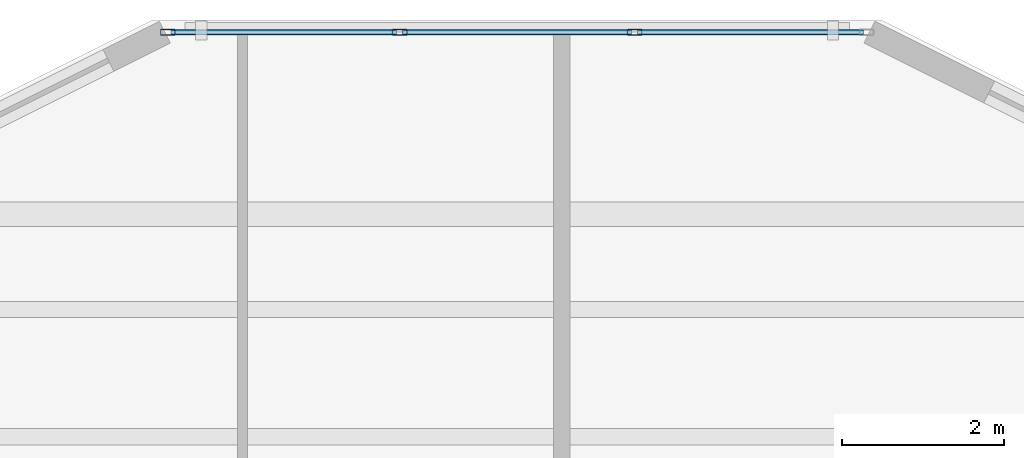
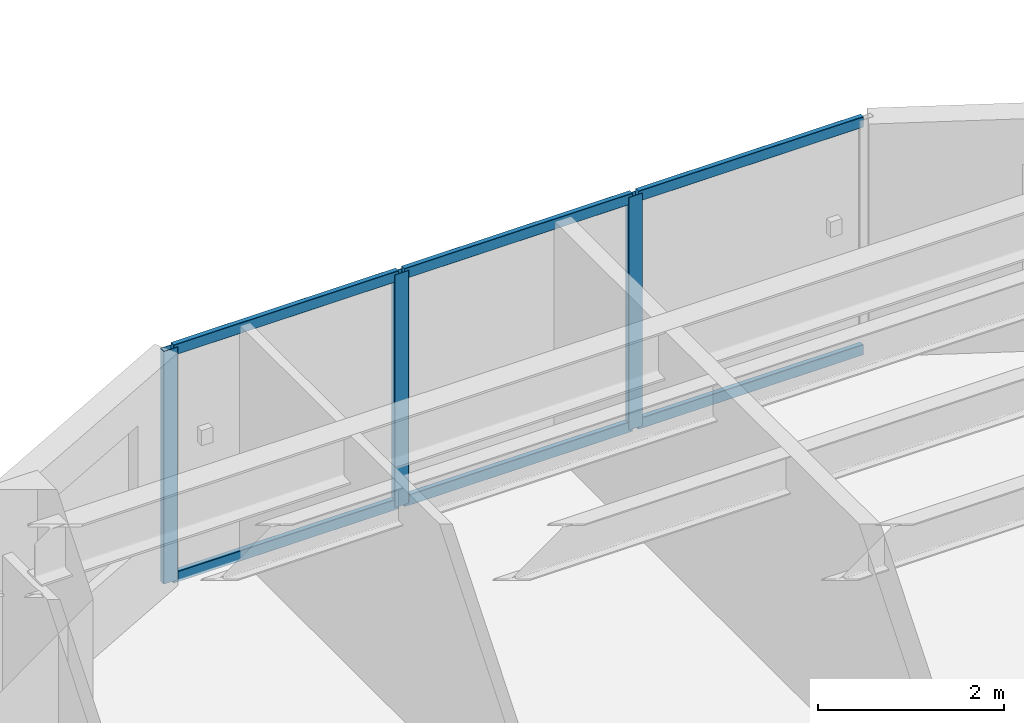
# One storey, part 6 of 20: 9 members, 1 element without a shape of its own.
"""IFC4 building model written with IfcOpenShell, lengths in metres."""

from ifc_helpers import new_model, si_unit, direction, frame, origin, origin_2d, place, context, subcontext, project, spatial, hollow_rectangle, extrude, material, layer, layer_set, material_profile, profile_set, type_object, element, aggregate, save


model = new_model("IFC4")

# Units and contexts
model_context = context("Model", 3, precision=1e-05, world=origin(), true_north=direction((0.0, 1.0)))
body_context = subcontext(model_context, "Body", "Model", "MODEL_VIEW")
ifc_project = project(units=[si_unit("LENGTHUNIT", "METRE"), si_unit("AREAUNIT", "SQUARE_METRE"), si_unit("VOLUMEUNIT", "CUBIC_METRE"), si_unit("PLANEANGLEUNIT", "RADIAN"), si_unit("MASSUNIT", "GRAM", prefix="KILO")], contexts=[model_context])

# Site, building, storey
site_placement = place(None, origin())
site = spatial("IfcSite", under=ifc_project, at=site_placement, CompositionType="ELEMENT")
building_placement = place(site_placement, origin())
building = spatial("IfcBuilding", under=site, at=building_placement, Name="Tarnavaz Court Tower", CompositionType="ELEMENT")
storey_placement = place(building_placement, frame((0.0, 0.0, 60.85009765625)))
storey = spatial("IfcBuildingStorey", under=building, at=storey_placement, Name="L16", CompositionType="ELEMENT", Elevation=60.85009765625)

# Curtain wall, members
ifc_material_1 = material(Name="Anodised Aluminium 6063-T6 and Solar Low-E Glazing", Category="aluminium")
ifc_layer = layer(ifc_material_1, 0.179931640625)
ifc_layer_set = layer_set([ifc_layer], Name="Anodised Aluminium 6063-T6 and Solar Low-E Glazing")
curtain_wall_type = type_object("IfcCurtainWallType", Name="CW-SYS-02", PredefinedType="NOTDEFINED", material=ifc_layer_set)
curtain_wall_placement = place(storey_placement, origin())
curtain_wall = element("IfcCurtainWall", 1, at=curtain_wall_placement, inside=storey, type_object=curtain_wall_type, Name="L16 Iwan Prow Curtain Wall 7", PredefinedType="NOTDEFINED")
ifc_material_2 = material(Name="Anodised Aluminium 6063-T6", Category="aluminium")
ifc_material_profile_1 = material_profile(ifc_material_2, hollow_rectangle(XDim=0.074951171875, YDim=0.179931640625, WallThickness=0.0048828125, InnerFilletRadius=0.0048828125, OuterFilletRadius=0.010009765625, at=origin_2d()), Name="ALU RHS 180X75X5")
ifc_profile_set_1 = profile_set([ifc_material_profile_1], Name="Anodised Aluminium 6063-T6")
member_type_1 = type_object("IfcMemberType", Name="CW-MUL-180", PredefinedType="MULLION", material=ifc_profile_set_1)
member_1_placement = place(storey_placement, frame((-4.3125, 25.050048828125, 0.0), z_axis=(0.0, 0.0, 1.0), x_axis=(0.0, 1.0, 0.0)))
member_1 = element("IfcMember", 2, at=member_1_placement, type_object=member_type_1, Name="CW mullion 1", PredefinedType="MULLION", context=body_context, shape_type="SweptSolid", body=[
    extrude(hollow_rectangle(XDim=0.074951171875, YDim=0.179931640625, WallThickness=0.0048828125, InnerFilletRadius=0.0048828125, OuterFilletRadius=0.010009765625, at=origin_2d()), origin(), (0.0, 0.0, 1.0), 3.0498046875),
])
member_2_placement = place(storey_placement, frame((-1.449951171875, 25.050048828125, 0.0), z_axis=(0.0, 0.0, 1.0), x_axis=(0.0, 1.0, 0.0)))
member_2 = element("IfcMember", 3, at=member_2_placement, type_object=member_type_1, Name="CW mullion 2", PredefinedType="MULLION", context=body_context, shape_type="SweptSolid", body=[
    extrude(hollow_rectangle(XDim=0.074951171875, YDim=0.179931640625, WallThickness=0.0048828125, InnerFilletRadius=0.0048828125, OuterFilletRadius=0.010009765625, at=origin_2d()), origin(), (0.0, 0.0, 1.0), 3.0498046875),
])
member_3_placement = place(storey_placement, frame((1.449951171875, 25.050048828125, 0.0), z_axis=(0.0, 0.0, 1.0), x_axis=(0.0, 1.0, 0.0)))
member_3 = element("IfcMember", 4, at=member_3_placement, type_object=member_type_1, Name="CW mullion 3", PredefinedType="MULLION", context=body_context, shape_type="SweptSolid", body=[
    extrude(hollow_rectangle(XDim=0.074951171875, YDim=0.179931640625, WallThickness=0.0048828125, InnerFilletRadius=0.0048828125, OuterFilletRadius=0.010009765625, at=origin_2d()), origin(), (0.0, 0.0, 1.0), 3.0498046875),
])
ifc_material_profile_2 = material_profile(ifc_material_2, hollow_rectangle(XDim=0.06494140625, YDim=0.139892578125, WallThickness=0.00390625, InnerFilletRadius=0.00390625, OuterFilletRadius=0.008056640625, at=origin_2d()), Name="ALU RHS 140X65X4")
ifc_profile_set_2 = profile_set([ifc_material_profile_2], Name="Anodised Aluminium 6063-T6")
member_type_2 = type_object("IfcMemberType", Name="CW-TRN-140", PredefinedType="USERDEFINED", material=ifc_profile_set_2)
member_4_placement = place(storey_placement, frame((-4.27490234375, 25.050048828125, 0.032470703125), z_axis=(1.0, 0.0, 0.0), x_axis=(0.0, 1.0, 0.0)))
member_4 = element("IfcMember", 5, at=member_4_placement, type_object=member_type_2, Name="CW transom 1.1", ObjectType="TRANSOM", PredefinedType="USERDEFINED", context=body_context, shape_type="SweptSolid", body=[
    extrude(hollow_rectangle(XDim=0.06494140625, YDim=0.139892578125, WallThickness=0.00390625, InnerFilletRadius=0.00390625, OuterFilletRadius=0.008056640625, at=origin_2d()), origin(), (0.0, 0.0, 1.0), 2.787353515625),
])
member_5_placement = place(storey_placement, frame((-4.27490234375, 25.050048828125, 3.017333984375), z_axis=(1.0, 0.0, 0.0), x_axis=(0.0, 1.0, 0.0)))
member_5 = element("IfcMember", 6, at=member_5_placement, type_object=member_type_2, Name="CW transom 1.2", ObjectType="TRANSOM", PredefinedType="USERDEFINED", context=body_context, shape_type="SweptSolid", body=[
    extrude(hollow_rectangle(XDim=0.06494140625, YDim=0.139892578125, WallThickness=0.00390625, InnerFilletRadius=0.00390625, OuterFilletRadius=0.008056640625, at=origin_2d()), origin(), (0.0, 0.0, 1.0), 2.787353515625),
])
member_6_placement = place(storey_placement, frame((-1.41259765625, 25.050048828125, 0.032470703125), z_axis=(1.0, 0.0, 0.0), x_axis=(0.0, 1.0, 0.0)))
member_6 = element("IfcMember", 7, at=member_6_placement, type_object=member_type_2, Name="CW transom 2.1", ObjectType="TRANSOM", PredefinedType="USERDEFINED", context=body_context, shape_type="SweptSolid", body=[
    extrude(hollow_rectangle(XDim=0.06494140625, YDim=0.139892578125, WallThickness=0.00390625, InnerFilletRadius=0.00390625, OuterFilletRadius=0.008056640625, at=origin_2d()), origin(), (0.0, 0.0, 1.0), 2.8251953125),
])
member_7_placement = place(storey_placement, frame((-1.41259765625, 25.050048828125, 3.017333984375), z_axis=(1.0, 0.0, 0.0), x_axis=(0.0, 1.0, 0.0)))
member_7 = element("IfcMember", 8, at=member_7_placement, type_object=member_type_2, Name="CW transom 2.2", ObjectType="TRANSOM", PredefinedType="USERDEFINED", context=body_context, shape_type="SweptSolid", body=[
    extrude(hollow_rectangle(XDim=0.06494140625, YDim=0.139892578125, WallThickness=0.00390625, InnerFilletRadius=0.00390625, OuterFilletRadius=0.008056640625, at=origin_2d()), origin(), (0.0, 0.0, 1.0), 2.8251953125),
])
member_8_placement = place(storey_placement, frame((1.487548828125, 25.050048828125, 0.032470703125), z_axis=(1.0, 0.0, 0.0), x_axis=(0.0, 1.0, 0.0)))
member_8 = element("IfcMember", 9, at=member_8_placement, type_object=member_type_2, Name="CW transom 3.1", ObjectType="TRANSOM", PredefinedType="USERDEFINED", context=body_context, shape_type="SweptSolid", body=[
    extrude(hollow_rectangle(XDim=0.06494140625, YDim=0.139892578125, WallThickness=0.00390625, InnerFilletRadius=0.00390625, OuterFilletRadius=0.008056640625, at=origin_2d()), origin(), (0.0, 0.0, 1.0), 2.787353515625),
])
member_9_placement = place(storey_placement, frame((1.487548828125, 25.050048828125, 3.017333984375), z_axis=(1.0, 0.0, 0.0), x_axis=(0.0, 1.0, 0.0)))
member_9 = element("IfcMember", 10, at=member_9_placement, type_object=member_type_2, Name="CW transom 3.2", ObjectType="TRANSOM", PredefinedType="USERDEFINED", context=body_context, shape_type="SweptSolid", body=[
    extrude(hollow_rectangle(XDim=0.06494140625, YDim=0.139892578125, WallThickness=0.00390625, InnerFilletRadius=0.00390625, OuterFilletRadius=0.008056640625, at=origin_2d()), origin(), (0.0, 0.0, 1.0), 2.787353515625),
])
aggregate(curtain_wall, [member_1, member_2, member_3, member_4, member_5, member_6, member_7, member_8, member_9])

save(model, "model.ifc")
